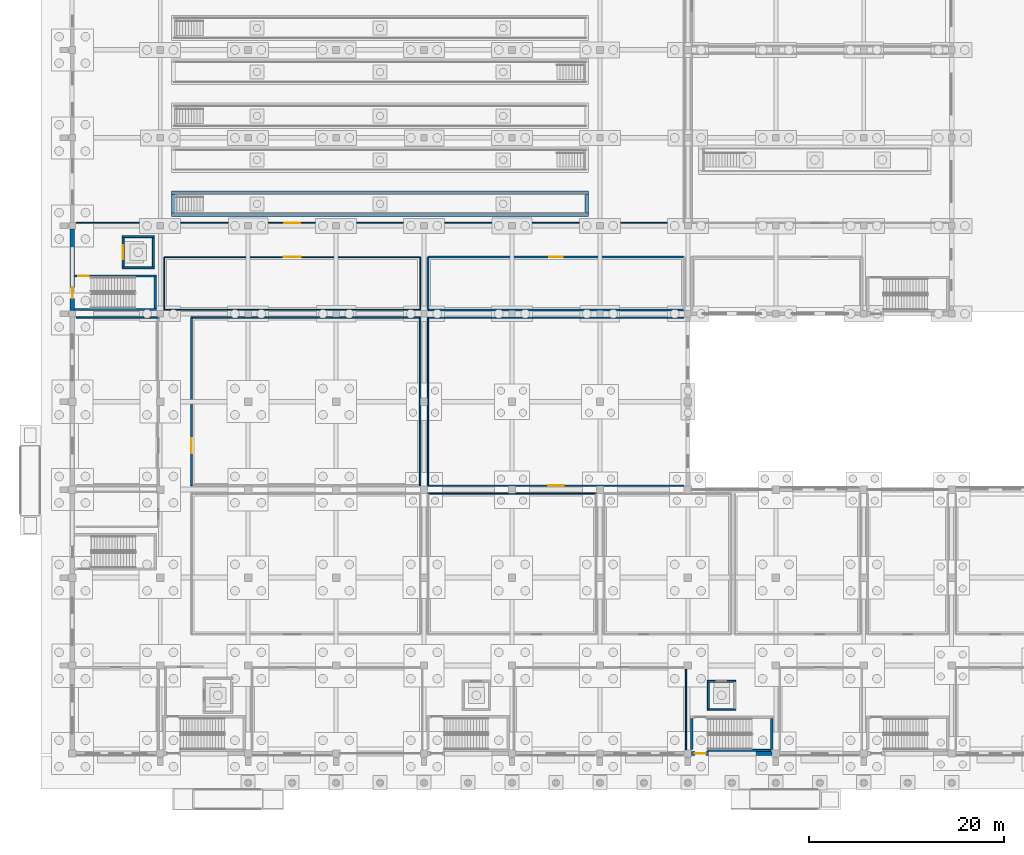
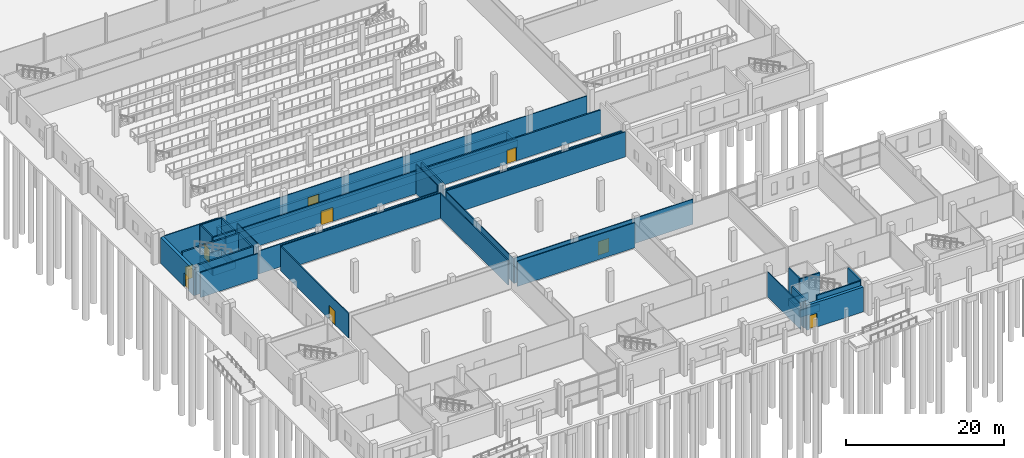
# One storey, part 64 of 112: 42 walls, 9 doors, 9 openings.
"""IFC4 building model written with IfcOpenShell, lengths in metres."""

from ifc_helpers import new_model, si_unit, direction, frame, frame_2d, origin, place, context, subcontext, project, spatial, rectangle, extrude, material, layer, layer_set, type_object, element, fill, save


model = new_model("IFC4")

# Units and contexts
model_context = context("Model", 3, precision=1e-05, world=origin(), true_north=direction((0.0, 1.0)))
body_context = subcontext(model_context, "Body", "Model", "MODEL_VIEW")
ifc_project = project(units=[si_unit("LENGTHUNIT", "METRE"), si_unit("AREAUNIT", "SQUARE_METRE"), si_unit("VOLUMEUNIT", "CUBIC_METRE"), si_unit("PLANEANGLEUNIT", "RADIAN"), si_unit("MASSUNIT", "GRAM", prefix="KILO")], contexts=[model_context])

# Site, building, storey
site_placement = place(None, origin())
site = spatial("IfcSite", under=ifc_project, at=site_placement, CompositionType="ELEMENT")
building_placement = place(site_placement, origin())
building = spatial("IfcBuilding", under=site, at=building_placement, Name="Tharagai Park Tramway Depot", CompositionType="ELEMENT")
storey_placement = place(building_placement, origin())
storey = spatial("IfcBuildingStorey", under=building, at=storey_placement, Name="L00", CompositionType="ELEMENT", Elevation=0.0)

# Wall, opening, door
ifc_material_1 = material(Name="Charnockite stone", Category="masonry")
ifc_layer_1 = layer(ifc_material_1, 0.419921875)
ifc_layer_set_1 = layer_set([ifc_layer_1], Name="Charnockite stone")
wall_type_1 = type_object("IfcWallType", Name="EW-07", PredefinedType="SOLIDWALL", material=ifc_layer_set_1)
wall_1_placement = place(storey_placement, frame((63.373046875, 0.0, 0.0), z_axis=(0.0, 0.0, 1.0), x_axis=(1.0, 0.0, 0.0)))
wall_1 = element("IfcWall", 1, at=wall_1_placement, inside=storey, type_object=wall_type_1, Name="L00 V4 Exterior Masonry Wall EW-07", PredefinedType="SOLIDWALL", context=body_context, shape_type="SweptSolid", body=[
    extrude(rectangle(XDim=8.25390625, YDim=0.419921875, at=frame_2d((4.126953125, 0.0))), origin(), (0.0, 0.0, 1.0), 3.842041015625),
])
opening_1_placement = place(wall_1_placement, frame((0.346923828125, 0.0, 0.0)))
opening_1 = element("IfcOpeningElement", 2, at=opening_1_placement, cuts=wall_1, Name="Opening ED-08", PredefinedType="OPENING", context=body_context, shape_type="SweptSolid", body=[
    extrude(rectangle(XDim=1.1201171875, YDim=2.139892578125, at=frame_2d((0.56005859375, 1.06982421875))), frame((0.0, 0.219970703125, 0.0), z_axis=(0.0, -1.0, 0.0), x_axis=(1.0, 0.0, 0.0)), (0.0, 0.0, 1.0), 0.43994140625),
])
ifc_material_2 = material(Name="Anodised aluminium", Category="aluminium")
door_type_1 = type_object("IfcDoorType", Name="ED-08", OperationType="NOTDEFINED", PredefinedType="DOOR", material=ifc_material_2)
door_1_placement = place(opening_1_placement, frame((1.1201171875, 0.0, 0.0), z_axis=(0.0, 0.0, 1.0), x_axis=(-1.0, 0.0, 0.0)))
door_1 = element("IfcDoor", 3, at=door_1_placement, inside=storey, type_object=door_type_1, Name="Core C4 Final Exit Door", OperationType="SINGLE_SWING_LEFT", OverallHeight=2.139892578125, OverallWidth=1.1201171875, PredefinedType="DOOR", context=body_context, shape_type="SweptSolid", body=[
    extrude(rectangle(XDim=1.1201171875, YDim=2.139892578125, at=frame_2d((0.56005859375, 1.06982421875))), frame((0.0, 0.02490234375, 0.0), z_axis=(0.0, -1.0, 0.0), x_axis=(1.0, 0.0, 0.0)), (0.0, 0.0, 1.0), 0.050048828125),
])
fill(opening_1, door_1)

wall_2_placement = place(storey_placement, frame((0.0, 45.322998046875, 0.0), z_axis=(0.0, 0.0, 1.0), x_axis=(0.0, 1.0, 0.0)))
wall_2 = element("IfcWall", 4, at=wall_2_placement, inside=storey, type_object=wall_type_1, Name="L00 V2 Exterior Masonry Wall EW-07", PredefinedType="SOLIDWALL", context=body_context, shape_type="SweptSolid", body=[
    extrude(rectangle(XDim=8.3291015625, YDim=0.419921875, at=frame_2d((4.16455078125, 0.0))), origin(), (0.0, 0.0, 1.0), 4.011962890625),
])
opening_2_placement = place(wall_2_placement, frame((1.257080078125, 0.0, 0.0)))
opening_2 = element("IfcOpeningElement", 5, at=opening_2_placement, cuts=wall_2, Name="Opening ED-08", PredefinedType="OPENING", context=body_context, shape_type="SweptSolid", body=[
    extrude(rectangle(XDim=1.1201171875, YDim=2.139892578125, at=frame_2d((0.56005859375, 1.06982421875))), frame((0.0, 0.219970703125, 0.0), z_axis=(0.0, -1.0, 0.0), x_axis=(1.0, 0.0, 0.0)), (0.0, 0.0, 1.0), 0.43994140625),
])
door_2_placement = place(opening_2_placement, origin())
door_2 = element("IfcDoor", 6, at=door_2_placement, inside=storey, type_object=door_type_1, Name="Core C8 Final Exit Door", OperationType="SINGLE_SWING_LEFT", OverallHeight=2.139892578125, OverallWidth=1.1201171875, PredefinedType="DOOR", context=body_context, shape_type="SweptSolid", body=[
    extrude(rectangle(XDim=1.1201171875, YDim=2.139892578125, at=frame_2d((0.56005859375, 1.06982421875))), frame((0.0, 0.02490234375, 0.0), z_axis=(0.0, -1.0, 0.0), x_axis=(1.0, 0.0, 0.0)), (0.0, 0.0, 1.0), 0.050048828125),
])
fill(opening_2, door_2)

# Walls
ifc_material_3 = material(Name="Pressed clay brick", Category="masonry")
ifc_layer_2 = layer(ifc_material_3, 0.159912109375)
ifc_layer_set_2 = layer_set([ifc_layer_2], Name="Pressed clay brick")
wall_type_2 = type_object("IfcWallType", Name="IW-02", PredefinedType="PARTITIONING", material=ifc_layer_set_2)
wall_3_placement = place(storey_placement, frame((0.39990234375, 44.60009765625, 0.0), z_axis=(0.0, 0.0, 1.0), x_axis=(1.0, 0.0, 0.0)))
element("IfcWall", 7, at=wall_3_placement, inside=storey, type_object=wall_type_2, Name="PPE Issue and Uniform Store Partition North", PredefinedType="PARTITIONING", context=body_context, shape_type="SweptSolid", body=[
    extrude(rectangle(XDim=8.400146484375, YDim=0.159912109375, at=frame_2d((4.2001953125, 0.0))), origin(), (0.0, 0.0, 1.0), 3.89501953125),
])
wall_4_placement = place(storey_placement, frame((12.199951171875, 44.60009765625, 0.0), z_axis=(0.0, 0.0, 1.0), x_axis=(1.0, 0.0, 0.0)))
element("IfcWall", 8, at=wall_4_placement, inside=storey, type_object=wall_type_2, Name="Domestic Water Pump and Fire Sprinkler Plant Partition North", PredefinedType="PARTITIONING", context=body_context, shape_type="SweptSolid", body=[
    extrude(rectangle(XDim=23.400146484375, YDim=0.159912109375, at=frame_2d((11.7001953125, 0.0))), origin(), (0.0, 0.0, 1.0), 3.89501953125),
])

# Wall, opening, door
wall_5_placement = place(storey_placement, frame((12.199951171875, 27.39990234375, 0.0), z_axis=(0.0, 0.0, 1.0), x_axis=(0.0, 1.0, 0.0)))
wall_5 = element("IfcWall", 9, at=wall_5_placement, inside=storey, type_object=wall_type_2, Name="Domestic Water Pump and Fire Sprinkler Plant Partition West", PredefinedType="PARTITIONING", context=body_context, shape_type="SweptSolid", body=[
    extrude(rectangle(XDim=17.2001953125, YDim=0.159912109375, at=frame_2d((8.60009765625, 0.0))), origin(), (0.0, 0.0, 1.0), 3.794921875),
])
opening_3_placement = place(wall_5_placement, frame((3.340087890625, 0.0, 0.0)))
opening_3 = element("IfcOpeningElement", 10, at=opening_3_placement, cuts=wall_5, Name="Opening ID-11", PredefinedType="OPENING", context=body_context, shape_type="SweptSolid", body=[
    extrude(rectangle(XDim=1.52001953125, YDim=2.159912109375, at=frame_2d((0.760009765625, 1.080078125))), frame((0.0, 0.08984375, 0.0), z_axis=(0.0, -1.0, 0.0), x_axis=(1.0, 0.0, 0.0)), (0.0, 0.0, 1.0), 0.179931640625),
])
ifc_material_4 = material(Name="Galvanised steel", Category="steel")
door_type_2 = type_object("IfcDoorType", Name="ID-11", OperationType="DOUBLE_SWING_LEFT", PredefinedType="DOOR", material=ifc_material_4)
door_3_placement = place(opening_3_placement, origin())
door_3 = element("IfcDoor", 11, at=door_3_placement, inside=storey, type_object=door_type_2, Name="Domestic Water Pump and Fire Sprinkler Plant Door", OperationType="DOUBLE_SWING_LEFT", OverallHeight=2.159912109375, OverallWidth=1.52001953125, PredefinedType="DOOR", context=body_context, shape_type="SweptSolid", body=[
    extrude(rectangle(XDim=1.52001953125, YDim=2.159912109375, at=frame_2d((0.760009765625, 1.080078125))), frame((0.0, 0.02490234375, 0.0), z_axis=(0.0, -1.0, 0.0), x_axis=(1.0, 0.0, 0.0)), (0.0, 0.0, 1.0), 0.050048828125),
])
fill(opening_3, door_3)

# Walls
wall_6_placement = place(storey_placement, frame((35.60009765625, 27.39990234375, 0.0), z_axis=(0.0, 0.0, 1.0), x_axis=(0.0, 1.0, 0.0)))
element("IfcWall", 12, at=wall_6_placement, inside=storey, type_object=wall_type_2, Name="Domestic Water Pump and Fire Sprinkler Plant Partition East", PredefinedType="PARTITIONING", context=body_context, shape_type="SweptSolid", body=[
    extrude(rectangle(XDim=17.2001953125, YDim=0.159912109375, at=frame_2d((8.60009765625, 0.0))), origin(), (0.0, 0.0, 1.0), 3.794921875),
])
ifc_material_5 = material(Name="Gypsum board", Category="gypsum")
ifc_layer_3 = layer(ifc_material_5, 0.1201171875)
ifc_layer_set_3 = layer_set([ifc_layer_3], Name="Gypsum board")
wall_type_3 = type_object("IfcWallType", Name="IW-03", PredefinedType="PARTITIONING", material=ifc_layer_set_3)
wall_7_placement = place(storey_placement, frame((9.39990234375, 45.39990234375, 0.0), z_axis=(0.0, 0.0, 1.0), x_axis=(1.0, 0.0, 0.0)))
element("IfcWall", 13, at=wall_7_placement, inside=storey, type_object=wall_type_3, Name="Calibrated Tool Crib and Metrology Room Partition South", PredefinedType="PARTITIONING", context=body_context, shape_type="SweptSolid", body=[
    extrude(rectangle(XDim=26.2001953125, YDim=0.1201171875, at=frame_2d((13.10009765625, 0.0))), origin(), (0.0, 0.0, 1.0), 3.56494140625),
])

# Wall, opening, door
wall_8_placement = place(storey_placement, frame((9.39990234375, 50.800048828125, 0.0), z_axis=(0.0, 0.0, 1.0), x_axis=(1.0, 0.0, 0.0)))
wall_8 = element("IfcWall", 14, at=wall_8_placement, inside=storey, type_object=wall_type_3, Name="Calibrated Tool Crib and Metrology Room Partition North", PredefinedType="PARTITIONING", context=body_context, shape_type="SweptSolid", body=[
    extrude(rectangle(XDim=26.2001953125, YDim=0.1201171875, at=frame_2d((13.10009765625, 0.0))), origin(), (0.0, 0.0, 1.0), 3.56494140625),
])
opening_4_placement = place(wall_8_placement, frame((12.22998046875, 0.0, 0.0)))
opening_4 = element("IfcOpeningElement", 15, at=opening_4_placement, cuts=wall_8, Name="Opening ID-04", PredefinedType="OPENING", context=body_context, shape_type="SweptSolid", body=[
    extrude(rectangle(XDim=1.739990234375, YDim=2.179931640625, at=frame_2d((0.8701171875, 1.08984375))), frame((0.0, 0.070068359375, 0.0), z_axis=(0.0, -1.0, 0.0), x_axis=(1.0, 0.0, 0.0)), (0.0, 0.0, 1.0), 0.14013671875),
])
door_type_3 = type_object("IfcDoorType", Name="ID-04", OperationType="DOUBLE_SWING_LEFT", PredefinedType="DOOR", material=ifc_material_2)
door_4_placement = place(opening_4_placement, origin())
door_4 = element("IfcDoor", 16, at=door_4_placement, inside=storey, type_object=door_type_3, Name="Calibrated Tool Crib and Metrology Room Door", OperationType="DOUBLE_SWING_LEFT", OverallHeight=2.179931640625, OverallWidth=1.739990234375, PredefinedType="DOOR", context=body_context, shape_type="SweptSolid", body=[
    extrude(rectangle(XDim=1.739990234375, YDim=2.179931640625, at=frame_2d((0.8701171875, 1.08984375))), frame((0.0, 0.02490234375, 0.0), z_axis=(0.0, -1.0, 0.0), x_axis=(1.0, 0.0, 0.0)), (0.0, 0.0, 1.0), 0.050048828125),
])
fill(opening_4, door_4)

# Walls
for number, where, z_axis, x_axis, name in (
    (17, (9.39990234375, 45.39990234375, 0.0), (0.0, 0.0, 1.0), (0.0, 1.0, 0.0), "Calibrated Tool Crib and Metrology Room Partition West"),
    (18, (35.60009765625, 45.39990234375, 0.0), (0.0, 0.0, 1.0), (0.0, 1.0, 0.0), "Calibrated Tool Crib and Metrology Room Partition East"),
):
    element("IfcWall", number, at=place(storey_placement, frame(where, z_axis=z_axis, x_axis=x_axis)), inside=storey, type_object=wall_type_3, Name=name, PredefinedType="PARTITIONING", context=body_context, shape_type="SweptSolid", body=[
        extrude(rectangle(XDim=5.400146484375, YDim=0.1201171875, at=frame_2d((2.7001953125, 0.0))), origin(), (0.0, 0.0, 1.0), 4.550048828125),
    ])

# Wall, opening, door
wall_9_placement = place(storey_placement, frame((0.39990234375, 54.300048828125, 0.0), z_axis=(0.0, 0.0, 1.0), x_axis=(1.0, 0.0, 0.0)))
wall_9 = element("IfcWall", 19, at=wall_9_placement, inside=storey, type_object=wall_type_3, Name="Maintenance Hall and Inspection Pit Bays Partition South", PredefinedType="PARTITIONING", context=body_context, shape_type="SweptSolid", body=[
    extrude(rectangle(XDim=62.2001953125, YDim=0.1201171875, at=frame_2d((31.10009765625, 0.0))), origin(), (0.0, 0.0, 1.0), 3.56494140625),
])
opening_5_placement = place(wall_9_placement, frame((21.2900390625, 0.0, 0.0)))
opening_5 = element("IfcOpeningElement", 20, at=opening_5_placement, cuts=wall_9, Name="Opening ID-01", PredefinedType="OPENING", context=body_context, shape_type="SweptSolid", body=[
    extrude(rectangle(XDim=1.6201171875, YDim=2.139892578125, at=frame_2d((0.81005859375, 1.06982421875))), frame((0.0, 0.070068359375, 0.0), z_axis=(0.0, -1.0, 0.0), x_axis=(1.0, 0.0, 0.0)), (0.0, 0.0, 1.0), 0.14013671875),
])
door_type_4 = type_object("IfcDoorType", Name="ID-01", OperationType="DOUBLE_SWING_LEFT", PredefinedType="DOOR", material=ifc_material_2)
door_5_placement = place(opening_5_placement, frame((1.6201171875, 0.0, 0.0), z_axis=(0.0, 0.0, 1.0), x_axis=(-1.0, 0.0, 0.0)))
door_5 = element("IfcDoor", 21, at=door_5_placement, inside=storey, type_object=door_type_4, Name="Maintenance Hall and Inspection Pit Bays Door", OperationType="DOUBLE_SWING_LEFT", OverallHeight=2.139892578125, OverallWidth=1.6201171875, PredefinedType="DOOR", context=body_context, shape_type="SweptSolid", body=[
    extrude(rectangle(XDim=1.6201171875, YDim=2.139892578125, at=frame_2d((0.81005859375, 1.06982421875))), frame((0.0, 0.02490234375, 0.0), z_axis=(0.0, -1.0, 0.0), x_axis=(1.0, 0.0, 0.0)), (0.0, 0.0, 1.0), 0.050048828125),
])
fill(opening_5, door_5)

# Walls
wall_10_placement = place(storey_placement, frame((62.800048828125, 0.39990234375, 0.0), z_axis=(0.0, 0.0, 1.0), x_axis=(0.0, 1.0, 0.0)))
element("IfcWall", 22, at=wall_10_placement, inside=storey, type_object=wall_type_3, Name="Duty Roster and Crew Dispatch Office Partition East", PredefinedType="PARTITIONING", context=body_context, shape_type="SweptSolid", body=[
    extrude(rectangle(XDim=8.400146484375, YDim=0.1201171875, at=frame_2d((4.2001953125, 0.0))), origin(), (0.0, 0.0, 1.0), 3.89501953125),
])
wall_11_placement = place(storey_placement, frame((36.39990234375, 26.60009765625, 0.0), z_axis=(0.0, 0.0, 1.0), x_axis=(1.0, 0.0, 0.0)))
element("IfcWall", 23, at=wall_11_placement, inside=storey, type_object=wall_type_3, Name="Female Crew Lockers and Changing Room Partition North", PredefinedType="PARTITIONING", context=body_context, shape_type="SweptSolid", body=[
    extrude(rectangle(XDim=17.2001953125, YDim=0.1201171875, at=frame_2d((8.60009765625, 0.0))), origin(), (0.0, 0.0, 1.0), 3.89501953125),
])

# Wall, opening, door
wall_12_placement = place(storey_placement, frame((36.39990234375, 27.39990234375, 0.0), z_axis=(0.0, 0.0, 1.0), x_axis=(1.0, 0.0, 0.0)))
wall_12 = element("IfcWall", 24, at=wall_12_placement, inside=storey, type_object=wall_type_3, Name="Depot Stores Receiving and Loading Bay Partition South", PredefinedType="PARTITIONING", context=body_context, shape_type="SweptSolid", body=[
    extrude(rectangle(XDim=26.2001953125, YDim=0.1201171875, at=frame_2d((13.10009765625, 0.0))), origin(), (0.0, 0.0, 1.0), 3.89501953125),
])
opening_6_placement = place(wall_12_placement, frame((12.2900390625, 0.0, 0.0)))
opening_6 = element("IfcOpeningElement", 25, at=opening_6_placement, cuts=wall_12, Name="Opening ID-01", PredefinedType="OPENING", context=body_context, shape_type="SweptSolid", body=[
    extrude(rectangle(XDim=1.6201171875, YDim=2.139892578125, at=frame_2d((0.81005859375, 1.06982421875))), frame((0.0, 0.070068359375, 0.0), z_axis=(0.0, -1.0, 0.0), x_axis=(1.0, 0.0, 0.0)), (0.0, 0.0, 1.0), 0.14013671875),
])
door_6_placement = place(opening_6_placement, frame((1.6201171875, 0.0, 0.0), z_axis=(0.0, 0.0, 1.0), x_axis=(-1.0, 0.0, 0.0)))
door_6 = element("IfcDoor", 26, at=door_6_placement, inside=storey, type_object=door_type_4, Name="Depot Stores Receiving and Loading Bay Door", OperationType="DOUBLE_SWING_LEFT", OverallHeight=2.139892578125, OverallWidth=1.6201171875, PredefinedType="DOOR", context=body_context, shape_type="SweptSolid", body=[
    extrude(rectangle(XDim=1.6201171875, YDim=2.139892578125, at=frame_2d((0.81005859375, 1.06982421875))), frame((0.0, 0.02490234375, 0.0), z_axis=(0.0, -1.0, 0.0), x_axis=(1.0, 0.0, 0.0)), (0.0, 0.0, 1.0), 0.050048828125),
])
fill(opening_6, door_6)

# Walls
wall_13_placement = place(storey_placement, frame((36.39990234375, 44.60009765625, 0.0), z_axis=(0.0, 0.0, 1.0), x_axis=(1.0, 0.0, 0.0)))
element("IfcWall", 27, at=wall_13_placement, inside=storey, type_object=wall_type_3, Name="Depot Stores Receiving and Loading Bay Partition North", PredefinedType="PARTITIONING", context=body_context, shape_type="SweptSolid", body=[
    extrude(rectangle(XDim=26.2001953125, YDim=0.1201171875, at=frame_2d((13.10009765625, 0.0))), origin(), (0.0, 0.0, 1.0), 3.89501953125),
])
wall_14_placement = place(storey_placement, frame((36.39990234375, 27.39990234375, 0.0), z_axis=(0.0, 0.0, 1.0), x_axis=(0.0, 1.0, 0.0)))
element("IfcWall", 28, at=wall_14_placement, inside=storey, type_object=wall_type_3, Name="Depot Stores Receiving and Loading Bay Partition West", PredefinedType="PARTITIONING", context=body_context, shape_type="SweptSolid", body=[
    extrude(rectangle(XDim=17.2001953125, YDim=0.1201171875, at=frame_2d((8.60009765625, 0.0))), origin(), (0.0, 0.0, 1.0), 3.794921875),
])
ifc_layer_4 = layer(ifc_material_3, 0.219970703125)
ifc_layer_set_4 = layer_set([ifc_layer_4], Name="Pressed clay brick")
wall_type_4 = type_object("IfcWallType", Name="IW-05", PredefinedType="SOLIDWALL", material=ifc_layer_set_4)
wall_15_placement = place(storey_placement, frame((36.39990234375, 45.39990234375, 0.0), z_axis=(0.0, 0.0, 1.0), x_axis=(1.0, 0.0, 0.0)))
element("IfcWall", 29, at=wall_15_placement, inside=storey, type_object=wall_type_4, Name="Lubricants and Hydraulic Fluid Store Partition South", PredefinedType="SOLIDWALL", context=body_context, shape_type="SweptSolid", body=[
    extrude(rectangle(XDim=26.2001953125, YDim=0.219970703125, at=frame_2d((13.10009765625, 0.0))), origin(), (0.0, 0.0, 1.0), 3.56494140625),
])

# Wall, opening, door
wall_16_placement = place(storey_placement, frame((36.39990234375, 50.800048828125, 0.0), z_axis=(0.0, 0.0, 1.0), x_axis=(1.0, 0.0, 0.0)))
wall_16 = element("IfcWall", 30, at=wall_16_placement, inside=storey, type_object=wall_type_4, Name="Lubricants and Hydraulic Fluid Store Partition North", PredefinedType="SOLIDWALL", context=body_context, shape_type="SweptSolid", body=[
    extrude(rectangle(XDim=26.2001953125, YDim=0.219970703125, at=frame_2d((13.10009765625, 0.0))), origin(), (0.0, 0.0, 1.0), 3.56494140625),
])
opening_7_placement = place(wall_16_placement, frame((12.389892578125, 0.0, 0.0)))
opening_7 = element("IfcOpeningElement", 31, at=opening_7_placement, cuts=wall_16, Name="Opening ID-06", PredefinedType="OPENING", context=body_context, shape_type="SweptSolid", body=[
    extrude(rectangle(XDim=1.419921875, YDim=2.1201171875, at=frame_2d((0.7099609375, 1.06005859375))), frame((0.0, 0.119873046875, 0.0), z_axis=(0.0, -1.0, 0.0), x_axis=(1.0, 0.0, 0.0)), (0.0, 0.0, 1.0), 0.239990234375),
])
door_type_5 = type_object("IfcDoorType", Name="ID-06", OperationType="DOUBLE_SWING_LEFT", PredefinedType="DOOR", material=ifc_material_4)
door_7_placement = place(opening_7_placement, origin())
door_7 = element("IfcDoor", 32, at=door_7_placement, inside=storey, type_object=door_type_5, Name="Lubricants and Hydraulic Fluid Store Door", OperationType="DOUBLE_SWING_LEFT", OverallHeight=2.1201171875, OverallWidth=1.419921875, PredefinedType="DOOR", context=body_context, shape_type="SweptSolid", body=[
    extrude(rectangle(XDim=1.419921875, YDim=2.1201171875, at=frame_2d((0.7099609375, 1.06005859375))), frame((0.0, 0.02490234375, 0.0), z_axis=(0.0, -1.0, 0.0), x_axis=(1.0, 0.0, 0.0)), (0.0, 0.0, 1.0), 0.050048828125),
])
fill(opening_7, door_7)

# Walls
wall_17_placement = place(storey_placement, frame((36.39990234375, 45.39990234375, 0.0), z_axis=(0.0, 0.0, 1.0), x_axis=(0.0, 1.0, 0.0)))
element("IfcWall", 33, at=wall_17_placement, inside=storey, type_object=wall_type_4, Name="Lubricants and Hydraulic Fluid Store Partition West", PredefinedType="SOLIDWALL", context=body_context, shape_type="SweptSolid", body=[
    extrude(rectangle(XDim=5.400146484375, YDim=0.219970703125, at=frame_2d((2.7001953125, 0.0))), origin(), (0.0, 0.0, 1.0), 4.550048828125),
])
ifc_material_6 = material(Name="Concrete M40", Category="concrete")
ifc_layer_5 = layer(ifc_material_6, 0.35009765625)
ifc_layer_set_5 = layer_set([ifc_layer_5], Name="Concrete M40")
wall_type_5 = type_object("IfcWallType", Name="PW-02", PredefinedType="SOLIDWALL", material=ifc_layer_set_5)
for number, where, z_axis, x_axis, name in (
    (34, (10.14990234375, 55.125, -1.5), (0.0, 0.0, 1.0), (1.0, 0.0, 0.0), "Inspection Pit Track 1 Retaining Wall S"),
    (35, (10.14990234375, 57.375, -1.5), (0.0, 0.0, 1.0), (1.0, 0.0, 0.0), "Inspection Pit Track 1 Retaining Wall N"),
):
    element("IfcWall", number, at=place(storey_placement, frame(where, z_axis=z_axis, x_axis=x_axis)), inside=storey, type_object=wall_type_5, Name=name, PredefinedType="SOLIDWALL", context=body_context, shape_type="SweptSolid", body=[
        extrude(rectangle(XDim=42.7001953125, YDim=0.35009765625, at=frame_2d((21.35009765625, 0.0))), origin(), (0.0, 0.0, 1.0), 1.199951171875),
    ])
for number, where, z_axis, x_axis, name in (
    (36, (10.324951171875, 55.300048828125, -1.5), (0.0, 0.0, 1.0), (0.0, 1.0, 0.0), "Inspection Pit Track 1 Retaining Wall W"),
    (37, (52.675048828125, 55.300048828125, -1.5), (0.0, 0.0, 1.0), (0.0, 1.0, 0.0), "Inspection Pit Track 1 Retaining Wall E"),
):
    element("IfcWall", number, at=place(storey_placement, frame(where, z_axis=z_axis, x_axis=x_axis)), inside=storey, type_object=wall_type_5, Name=name, PredefinedType="SOLIDWALL", context=body_context, shape_type="SweptSolid", body=[
        extrude(rectangle(XDim=1.89990234375, YDim=0.35009765625, at=frame_2d((0.949951171875, 0.0))), origin(), (0.0, 0.0, 1.0), 1.199951171875),
    ])
ifc_layer_6 = layer(ifc_material_6, 0.239990234375)
ifc_layer_set_6 = layer_set([ifc_layer_6], Name="Concrete M40")
wall_type_6 = type_object("IfcWallType", Name="SW-01", PredefinedType="SHEAR", material=ifc_layer_set_6)
for number, where, z_axis, x_axis, name in (
    (38, (63.39990234375, 0.39990234375, 0.0), (0.0, 0.0, 1.0), (0.0, 1.0, 0.0), "Core C4 L00 Shear Wall West"),
    (39, (71.60009765625, 0.39990234375, 0.0), (0.0, 0.0, 1.0), (0.0, 1.0, 0.0), "Core C4 L00 Shear Wall East"),
):
    element("IfcWall", number, at=place(storey_placement, frame(where, z_axis=z_axis, x_axis=x_axis)), inside=storey, type_object=wall_type_6, Name=name, PredefinedType="SHEAR", context=body_context, shape_type="SweptSolid", body=[
        extrude(rectangle(XDim=3.190185546875, YDim=0.239990234375, at=frame_2d((1.59521484375, 0.0))), origin(), (0.0, 0.0, 1.0), 4.550048828125),
    ])
wall_18_placement = place(storey_placement, frame((0.159912109375, 45.429931640625, 0.0), z_axis=(0.0, 0.0, 1.0), x_axis=(1.0, 0.0, 0.0)))
element("IfcWall", 40, at=wall_18_placement, inside=storey, type_object=wall_type_6, Name="Core C8 L00 Shear Wall South", PredefinedType="SHEAR", context=body_context, shape_type="SweptSolid", body=[
    extrude(rectangle(XDim=8.440185546875, YDim=0.239990234375, at=frame_2d((4.22021484375, 0.0))), origin(), (0.0, 0.0, 1.0), 4.550048828125),
])

# Wall, opening, door
wall_19_placement = place(storey_placement, frame((0.159912109375, 48.860107421875, 0.0), z_axis=(0.0, 0.0, 1.0), x_axis=(1.0, 0.0, 0.0)))
wall_19 = element("IfcWall", 41, at=wall_19_placement, inside=storey, type_object=wall_type_6, Name="Core C8 L00 Shear Wall North", PredefinedType="SHEAR", context=body_context, shape_type="SweptSolid", body=[
    extrude(rectangle(XDim=8.440185546875, YDim=0.239990234375, at=frame_2d((4.22021484375, 0.0))), origin(), (0.0, 0.0, 1.0), 4.550048828125),
])
opening_8_placement = place(wall_19_placement, frame((0.4599609375, 0.0, 0.0)))
opening_8 = element("IfcOpeningElement", 42, at=opening_8_placement, cuts=wall_19, Name="Opening ID-05", PredefinedType="OPENING", context=body_context, shape_type="SweptSolid", body=[
    extrude(rectangle(XDim=1.080078125, YDim=2.080078125, at=frame_2d((0.5400390625, 1.0400390625))), frame((0.0, 0.1298828125, 0.0), z_axis=(0.0, -1.0, 0.0), x_axis=(1.0, 0.0, 0.0)), (0.0, 0.0, 1.0), 0.260009765625),
])
door_type_6 = type_object("IfcDoorType", Name="ID-05", OperationType="NOTDEFINED", PredefinedType="DOOR", material=ifc_material_4)
door_8_placement = place(opening_8_placement, origin())
door_8 = element("IfcDoor", 43, at=door_8_placement, inside=storey, type_object=door_type_6, Name="Stair ST-08 L00 Fire Door", OperationType="SINGLE_SWING_LEFT", OverallHeight=2.080078125, OverallWidth=1.080078125, PredefinedType="DOOR", context=body_context, shape_type="SweptSolid", body=[
    extrude(rectangle(XDim=1.080078125, YDim=2.080078125, at=frame_2d((0.5400390625, 1.0400390625))), frame((0.0, 0.02490234375, 0.0), z_axis=(0.0, -1.0, 0.0), x_axis=(1.0, 0.0, 0.0)), (0.0, 0.0, 1.0), 0.050048828125),
])
fill(opening_8, door_8)

# Walls
wall_20_placement = place(storey_placement, frame((8.47998046875, 45.550048828125, 0.0), z_axis=(0.0, 0.0, 1.0), x_axis=(0.0, 1.0, 0.0)))
element("IfcWall", 44, at=wall_20_placement, inside=storey, type_object=wall_type_6, Name="Core C8 L00 Shear Wall East", PredefinedType="SHEAR", context=body_context, shape_type="SweptSolid", body=[
    extrude(rectangle(XDim=3.18994140625, YDim=0.239990234375, at=frame_2d((1.594970703125, 0.0))), origin(), (0.0, 0.0, 1.0), 4.550048828125),
])
ifc_layer_7 = layer(ifc_material_6, 0.199951171875)
ifc_layer_set_7 = layer_set([ifc_layer_7], Name="Concrete M40")
wall_type_7 = type_object("IfcWallType", Name="SW-02", PredefinedType="SHEAR", material=ifc_layer_set_7)
wall_21_placement = place(storey_placement, frame((65.0400390625, 0.31494140625, 0.0), z_axis=(0.0, 0.0, 1.0), x_axis=(1.0, 0.0, 0.0)))
element("IfcWall", 45, at=wall_21_placement, inside=storey, type_object=wall_type_7, Name="Core C4 L00 Shear Bearing Liner South", PredefinedType="SHEAR", context=body_context, shape_type="SweptSolid", body=[
    extrude(rectangle(XDim=6.43994140625, YDim=0.199951171875, at=frame_2d((3.219970703125, 0.0))), origin(), (0.0, 0.0, 1.0), 4.550048828125),
])
for number, where, z_axis, x_axis, name in (
    (46, (65.0, 4.5, -1.39990234375), (0.0, 0.0, 1.0), (1.0, 0.0, 0.0), "Lift LP-02 Pit Wall South"),
    (47, (65.0, 7.39990234375, -1.39990234375), (0.0, 0.0, 1.0), (1.0, 0.0, 0.0), "Lift LP-02 Pit Wall North"),
):
    element("IfcWall", number, at=place(storey_placement, frame(where, z_axis=z_axis, x_axis=x_axis)), inside=storey, type_object=wall_type_7, Name=name, PredefinedType="SHEAR", context=body_context, shape_type="SweptSolid", body=[
        extrude(rectangle(XDim=2.89990234375, YDim=0.199951171875, at=frame_2d((1.449951171875, 0.0))), origin(), (0.0, 0.0, 1.0), 1.099853515625),
    ])
wall_22_placement = place(storey_placement, frame((65.10009765625, 4.60009765625, -1.39990234375), z_axis=(0.0, 0.0, 1.0), x_axis=(0.0, 1.0, 0.0)))
element("IfcWall", 48, at=wall_22_placement, inside=storey, type_object=wall_type_7, Name="Lift LP-02 Pit Wall West", PredefinedType="SHEAR", context=body_context, shape_type="SweptSolid", body=[
    extrude(rectangle(XDim=2.699951171875, YDim=0.199951171875, at=frame_2d((1.35009765625, 0.0))), origin(), (0.0, 0.0, 1.0), 1.099853515625),
])
wall_23_placement = place(storey_placement, frame((65.0, 4.5, 0.0), z_axis=(0.0, 0.0, 1.0), x_axis=(1.0, 0.0, 0.0)))
element("IfcWall", 49, at=wall_23_placement, inside=storey, type_object=wall_type_7, Name="Lift LP-02 L00 Shaft Wall South", PredefinedType="SHEAR", context=body_context, shape_type="SweptSolid", body=[
    extrude(rectangle(XDim=2.89990234375, YDim=0.199951171875, at=frame_2d((1.449951171875, 0.0))), origin(), (0.0, 0.0, 1.0), 4.550048828125),
])
wall_24_placement = place(storey_placement, frame((65.10009765625, 4.60009765625, 0.0), z_axis=(0.0, 0.0, 1.0), x_axis=(0.0, 1.0, 0.0)))
element("IfcWall", 50, at=wall_24_placement, inside=storey, type_object=wall_type_7, Name="Lift LP-02 L00 Shaft Wall West", PredefinedType="SHEAR", context=body_context, shape_type="SweptSolid", body=[
    extrude(rectangle(XDim=2.699951171875, YDim=0.199951171875, at=frame_2d((1.35009765625, 0.0))), origin(), (0.0, 0.0, 1.0), 4.550048828125),
])
for number, where, z_axis, x_axis, name in (
    (51, (5.10009765625, 49.699951171875, -1.39990234375), (0.0, 0.0, 1.0), (1.0, 0.0, 0.0), "Lift LG-01 Pit Wall South"),
    (52, (5.10009765625, 52.89990234375, -1.39990234375), (0.0, 0.0, 1.0), (1.0, 0.0, 0.0), "Lift LG-01 Pit Wall North"),
):
    element("IfcWall", number, at=place(storey_placement, frame(where, z_axis=z_axis, x_axis=x_axis)), inside=storey, type_object=wall_type_7, Name=name, PredefinedType="SHEAR", context=body_context, shape_type="SweptSolid", body=[
        extrude(rectangle(XDim=3.2998046875, YDim=0.199951171875, at=frame_2d((1.64990234375, 0.0))), origin(), (0.0, 0.0, 1.0), 1.099853515625),
    ])
for number, where, z_axis, x_axis, name in (
    (53, (5.199951171875, 49.800048828125, -1.39990234375), (0.0, 0.0, 1.0), (0.0, 1.0, 0.0), "Lift LG-01 Pit Wall West"),
    (54, (8.300048828125, 49.800048828125, -1.39990234375), (0.0, 0.0, 1.0), (0.0, 1.0, 0.0), "Lift LG-01 Pit Wall East"),
):
    element("IfcWall", number, at=place(storey_placement, frame(where, z_axis=z_axis, x_axis=x_axis)), inside=storey, type_object=wall_type_7, Name=name, PredefinedType="SHEAR", context=body_context, shape_type="SweptSolid", body=[
        extrude(rectangle(XDim=3.0, YDim=0.199951171875, at=frame_2d((1.5, 0.0))), origin(), (0.0, 0.0, 1.0), 1.099853515625),
    ])
for number, where, z_axis, x_axis, name in (
    (55, (5.10009765625, 49.699951171875, 0.0), (0.0, 0.0, 1.0), (1.0, 0.0, 0.0), "Lift LG-01 L00 Shaft Wall South"),
    (56, (5.10009765625, 52.89990234375, 0.0), (0.0, 0.0, 1.0), (1.0, 0.0, 0.0), "Lift LG-01 L00 Shaft Wall North"),
):
    element("IfcWall", number, at=place(storey_placement, frame(where, z_axis=z_axis, x_axis=x_axis)), inside=storey, type_object=wall_type_7, Name=name, PredefinedType="SHEAR", context=body_context, shape_type="SweptSolid", body=[
        extrude(rectangle(XDim=3.2998046875, YDim=0.199951171875, at=frame_2d((1.64990234375, 0.0))), origin(), (0.0, 0.0, 1.0), 4.550048828125),
    ])

# Wall, opening, door
wall_25_placement = place(storey_placement, frame((5.199951171875, 49.800048828125, 0.0), z_axis=(0.0, 0.0, 1.0), x_axis=(0.0, 1.0, 0.0)))
wall_25 = element("IfcWall", 57, at=wall_25_placement, inside=storey, type_object=wall_type_7, Name="Lift LG-01 L00 Shaft Wall West", PredefinedType="SHEAR", context=body_context, shape_type="SweptSolid", body=[
    extrude(rectangle(XDim=3.0, YDim=0.199951171875, at=frame_2d((1.5, 0.0))), origin(), (0.0, 0.0, 1.0), 4.550048828125),
])
opening_9_placement = place(wall_25_placement, frame((0.800048828125, 0.0, 0.0)))
opening_9 = element("IfcOpeningElement", 58, at=opening_9_placement, cuts=wall_25, Name="Opening LD-01", PredefinedType="OPENING", context=body_context, shape_type="SweptSolid", body=[
    extrude(rectangle(XDim=1.39990234375, YDim=2.14990234375, at=frame_2d((0.699951171875, 1.074951171875))), frame((0.0, 0.10986328125, 0.0), z_axis=(0.0, -1.0, 0.0), x_axis=(1.0, 0.0, 0.0)), (0.0, 0.0, 1.0), 0.219970703125),
])
door_type_7 = type_object("IfcDoorType", Name="LD-01", OperationType="DOUBLE_DOOR_SLIDING", PredefinedType="DOOR", material=ifc_material_4)
door_9_placement = place(opening_9_placement, origin())
door_9 = element("IfcDoor", 59, at=door_9_placement, inside=storey, type_object=door_type_7, Name="Lift LG-01 L00 Sliding Landing Door", OperationType="DOUBLE_DOOR_SLIDING", OverallHeight=2.14990234375, OverallWidth=1.39990234375, PredefinedType="DOOR", context=body_context, shape_type="SweptSolid", body=[
    extrude(rectangle(XDim=1.39990234375, YDim=2.14990234375, at=frame_2d((0.699951171875, 1.074951171875))), frame((0.0, 0.02490234375, 0.0), z_axis=(0.0, -1.0, 0.0), x_axis=(1.0, 0.0, 0.0)), (0.0, 0.0, 1.0), 0.050048828125),
])
fill(opening_9, door_9)

# Wall
wall_26_placement = place(storey_placement, frame((8.300048828125, 49.800048828125, 0.0), z_axis=(0.0, 0.0, 1.0), x_axis=(0.0, 1.0, 0.0)))
element("IfcWall", 60, at=wall_26_placement, inside=storey, type_object=wall_type_7, Name="Lift LG-01 L00 Shaft Wall East", PredefinedType="SHEAR", context=body_context, shape_type="SweptSolid", body=[
    extrude(rectangle(XDim=3.0, YDim=0.199951171875, at=frame_2d((1.5, 0.0))), origin(), (0.0, 0.0, 1.0), 4.550048828125),
])

save(model, "model.ifc")
